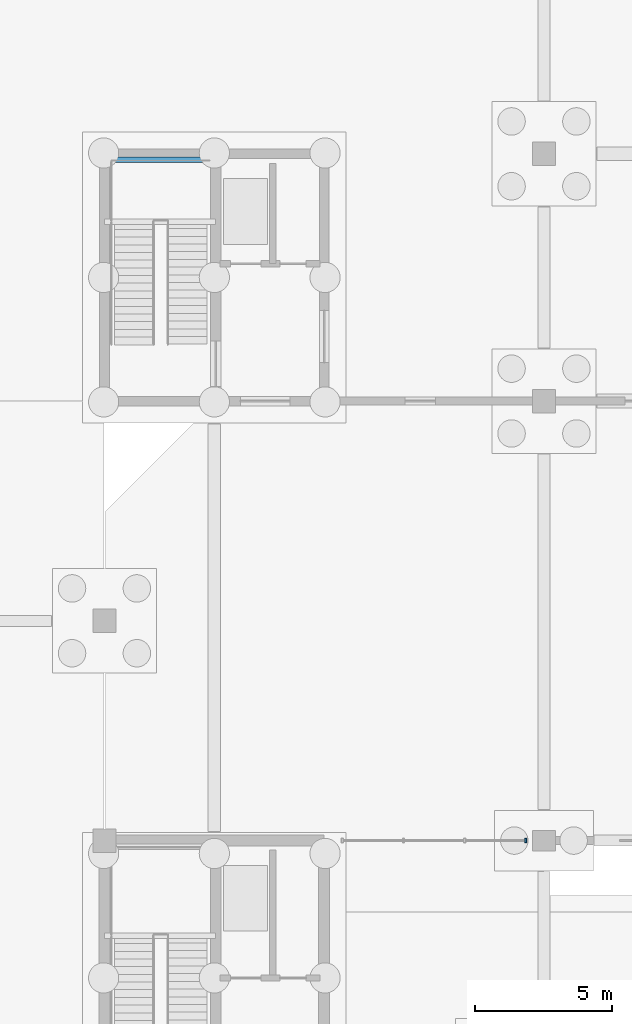
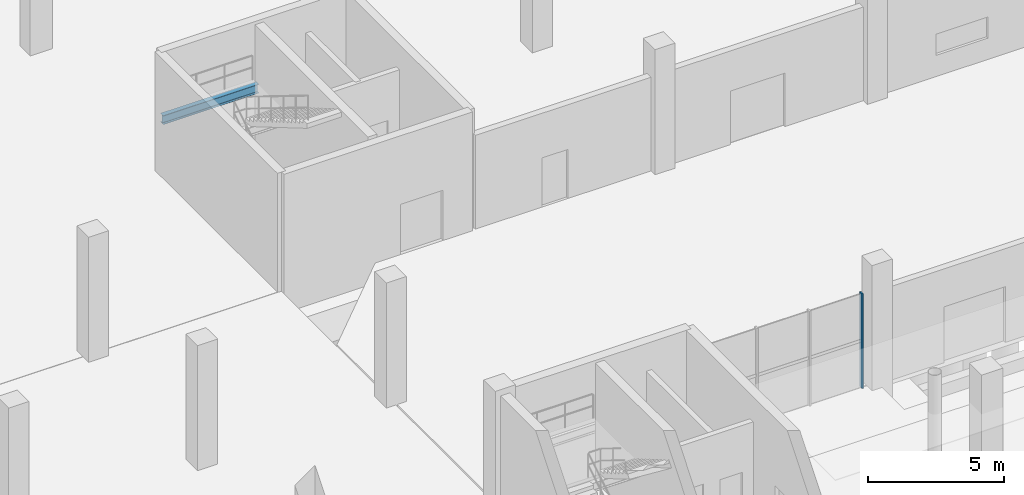
# One storey, part 44 of 98: 1 beam, 1 member, 1 element without a shape of its own.
"""IFC4 building model written with IfcOpenShell, lengths in metres."""

from ifc_helpers import new_model, si_unit, derived_unit, direction, frame, origin, origin_2d, place, context, subcontext, project, spatial, rectangle, i_section, extrude, material, layer, layer_set, material_profile, profile_set, type_object, element, aggregate, save


model = new_model("IFC4")

# Units and contexts
model_context = context("Model", 3, precision=1e-05, world=origin(), true_north=direction((0.0, 1.0)))
body_context = subcontext(model_context, "Body", "Model", "MODEL_VIEW")
ifc_project = project(units=[si_unit("LENGTHUNIT", "METRE"), si_unit("AREAUNIT", "SQUARE_METRE"), si_unit("VOLUMEUNIT", "CUBIC_METRE"), si_unit("PLANEANGLEUNIT", "RADIAN"), si_unit("MASSUNIT", "GRAM", prefix="KILO"), si_unit("THERMODYNAMICTEMPERATUREUNIT", "KELVIN"), derived_unit("THERMALTRANSMITTANCEUNIT", [(si_unit("POWERUNIT", "WATT"), 1), (si_unit("AREAUNIT", "SQUARE_METRE"), -1), (si_unit("THERMODYNAMICTEMPERATUREUNIT", "KELVIN"), -1)])], contexts=[model_context])

# Site, building, storey
site_placement = place(None, origin())
site = spatial("IfcSite", under=ifc_project, at=site_placement, CompositionType="ELEMENT")
building_placement = place(site_placement, origin())
building = spatial("IfcBuilding", under=site, at=building_placement, Name="Haiyu Intermodal Mobility Hub", CompositionType="ELEMENT")
storey_placement = place(building_placement, origin())
storey = spatial("IfcBuildingStorey", under=building, at=storey_placement, Name="L00", CompositionType="ELEMENT", Elevation=0.0)

# Beam
ifc_material_1 = material(Name="Steel Q355C", Category="steel")
ifc_material_profile_1 = material_profile(ifc_material_1, i_section(OverallWidth=0.199951171875, OverallDepth=0.39990234375, WebThickness=0.008056640625, FlangeThickness=0.012939453125, FilletRadius=0.01611328125, at=origin_2d()), Name="HN400x200x8x13")
ifc_profile_set_1 = profile_set([ifc_material_profile_1], Name="Steel Q355C")
beam_type = type_object("IfcBeamType", Name="BM-SB08", PredefinedType="JOIST", material=ifc_profile_set_1)
beam_placement = place(storey_placement, frame((62.0, 112.780029296875, 2.375), z_axis=(1.0, 0.0, 0.0), x_axis=(0.0, 1.0, 0.0)))
element("IfcBeam", 1, at=beam_placement, inside=storey, type_object=beam_type, Name="Stair Half-Landing Rear Beam C5-L00", PredefinedType="JOIST", context=body_context, shape_type="SweptSolid", body=[
    extrude(i_section(OverallWidth=0.199951171875, OverallDepth=0.39990234375, WebThickness=0.008056640625, FlangeThickness=0.012939453125, FilletRadius=0.01611328125, at=origin_2d()), origin(), (0.0, 0.0, 1.0), 4.050048828125),
])

# Curtain wall, member
ifc_material_2 = material(Name="Low-e laminated insulating glass", Category="glass")
ifc_layer = layer(ifc_material_2, 0.25)
ifc_layer_set = layer_set([ifc_layer], Name="Low-e laminated insulating glass")
curtain_wall_type = type_object("IfcCurtainWallType", Name="CW-CW02", PredefinedType="NOTDEFINED", material=ifc_layer_set)
curtain_wall_placement = place(storey_placement, origin())
curtain_wall = element("IfcCurtainWall", 2, at=curtain_wall_placement, inside=storey, type_object=curtain_wall_type, Name="Curtain Wall CW-V1N-L00-021", PredefinedType="NOTDEFINED")
ifc_material_3 = material(Name="Anodised aluminium 6063-T6", Category="aluminium")
ifc_material_profile_2 = material_profile(ifc_material_3, rectangle(XDim=0.06494140625, YDim=0.1650390625, at=origin_2d()), Name="ALU65x165")
ifc_profile_set_2 = profile_set([ifc_material_profile_2], Name="Anodised aluminium 6063-T6")
member_type = type_object("IfcMemberType", Name="CWM-ML02", PredefinedType="MULLION", material=ifc_profile_set_2)
member_placement = place(storey_placement, frame((77.340087890625, 88.0, 0.0), z_axis=(0.0, 0.0, 1.0), x_axis=(1.0, 0.0, 0.0)))
member = element("IfcMember", 3, at=member_placement, type_object=member_type, Name="CW-V1N-L00-021-ML01", PredefinedType="MULLION", context=body_context, shape_type="SweptSolid", body=[
    extrude(rectangle(XDim=0.06494140625, YDim=0.1650390625, at=origin_2d()), origin(), (0.0, 0.0, 1.0), 4.25),
])
aggregate(curtain_wall, [member])

save(model, "model.ifc")
